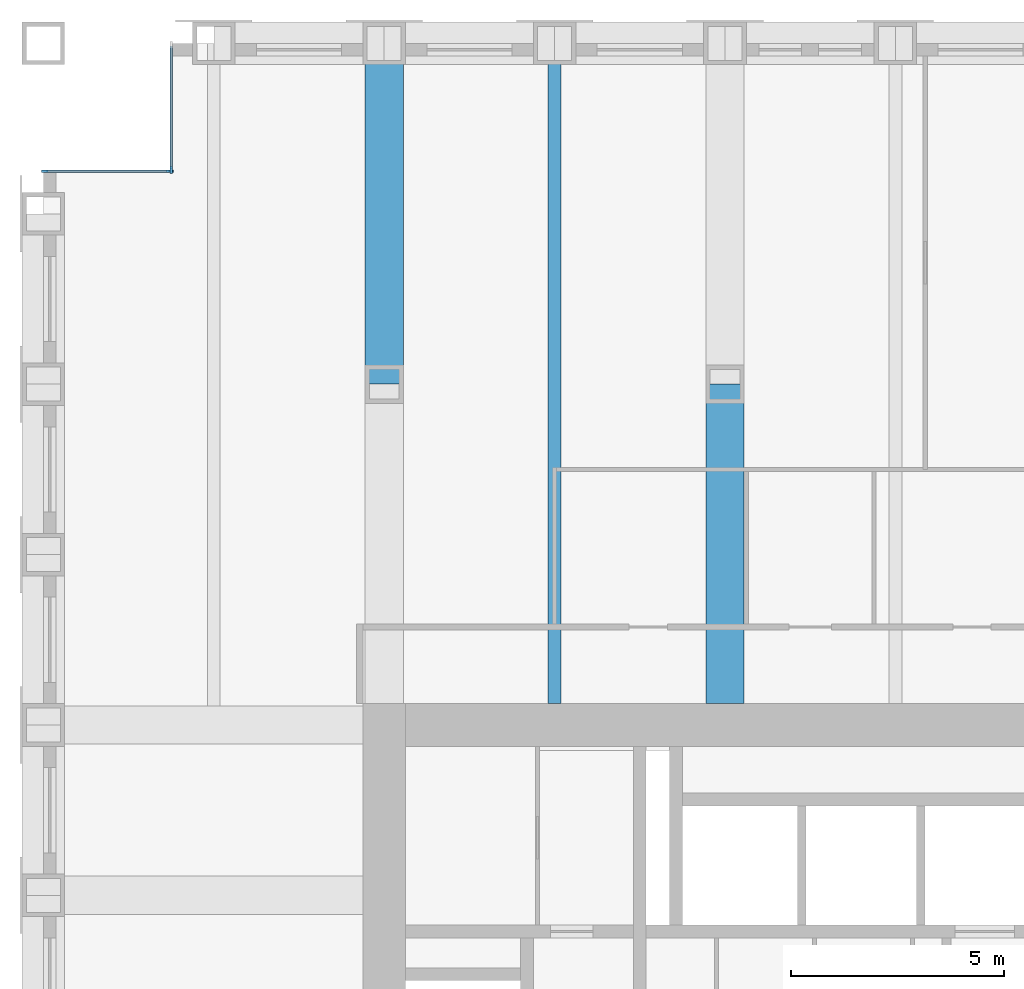
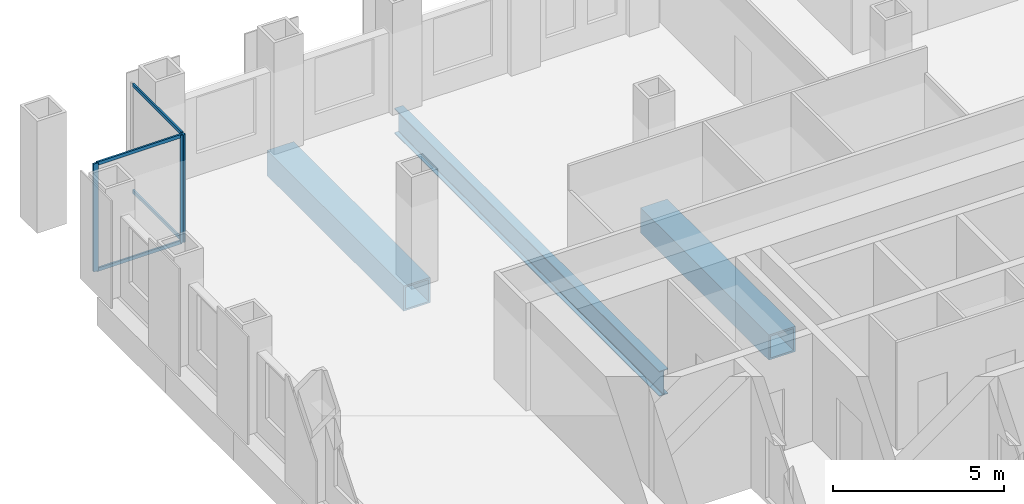
# One storey, part 6 of 15: 7 members, 3 beams, 2 elements without a shape of their own.
"""IFC4 building model written with IfcOpenShell, lengths in metres."""

from ifc_helpers import new_model, si_unit, direction, frame, origin, origin_2d, place, context, subcontext, project, spatial, rectangle, hollow_rectangle, i_section, extrude, material, material_profile, profile_set, type_object, element, aggregate, save


model = new_model("IFC4")

# Units and contexts
model_context = context("Model", 3, precision=1e-05, world=origin(), true_north=direction((0.0, 1.0)))
body_context = subcontext(model_context, "Body", "Model", "MODEL_VIEW")
ifc_project = project(units=[si_unit("LENGTHUNIT", "METRE"), si_unit("AREAUNIT", "SQUARE_METRE"), si_unit("VOLUMEUNIT", "CUBIC_METRE"), si_unit("PLANEANGLEUNIT", "RADIAN"), si_unit("MASSUNIT", "GRAM", prefix="KILO")], contexts=[model_context])

# Site, building, storey
site_placement = place(None, origin())
site = spatial("IfcSite", under=ifc_project, at=site_placement, CompositionType="ELEMENT")
building_placement = place(site_placement, origin())
building = spatial("IfcBuilding", under=site, at=building_placement, Name="Rimbunsela Tower", CompositionType="ELEMENT")
storey_placement = place(building_placement, frame((0.0, 0.0, 113.39990234375)))
storey = spatial("IfcBuildingStorey", under=building, at=storey_placement, Name="L27", CompositionType="ELEMENT", Elevation=113.39990234375)

# Beams
ifc_material_1 = material(Name="Steel BJ 55 (fy 410 MPa)", Category="steel")
ifc_material_profile_1 = material_profile(ifc_material_1, hollow_rectangle(XDim=0.89990234375, YDim=0.89990234375, WallThickness=0.06005859375, at=origin_2d()), Name="BOX 900x900x60")
ifc_profile_set_1 = profile_set([ifc_material_profile_1], Name="Steel BJ 55 (fy 410 MPa)")
beam_type_1 = type_object("IfcBeamType", Name="Beam BOX 900x900x60", PredefinedType="BEAM", material=ifc_profile_set_1)
beam_1_placement = place(storey_placement, frame((18.0, 44.0, -0.599853515625), z_axis=(0.0, 1.0, 0.0), x_axis=(-1.0, 0.0, 0.0)))
element("IfcBeam", 1, at=beam_1_placement, inside=storey, type_object=beam_type_1, Name="Beam B1 L27", PredefinedType="BEAM", context=body_context, shape_type="SweptSolid", body=[
    extrude(hollow_rectangle(XDim=0.89990234375, YDim=0.89990234375, WallThickness=0.06005859375, at=origin_2d()), origin(), (0.0, 0.0, 1.0), 8.0),
])
beam_2_placement = place(storey_placement, frame((26.0, 36.5, -0.599853515625), z_axis=(0.0, 1.0, 0.0), x_axis=(-1.0, 0.0, 0.0)))
element("IfcBeam", 2, at=beam_2_placement, inside=storey, type_object=beam_type_1, Name="Beam B1 L27", PredefinedType="BEAM", context=body_context, shape_type="SweptSolid", body=[
    extrude(hollow_rectangle(XDim=0.89990234375, YDim=0.89990234375, WallThickness=0.06005859375, at=origin_2d()), origin(), (0.0, 0.0, 1.0), 7.5),
])
ifc_material_2 = material(Name="Steel BJ 55 (fy 410 MPa)", Category="steel")
ifc_material_profile_2 = material_profile(ifc_material_2, i_section(OverallWidth=0.300048828125, OverallDepth=0.89990234375, WebThickness=0.01611328125, FlangeThickness=0.028076171875, FilletRadius=0.028076171875, at=origin_2d()), Name="H 900x300x16x28")
ifc_profile_set_2 = profile_set([ifc_material_profile_2], Name="Steel BJ 55 (fy 410 MPa)")
beam_type_2 = type_object("IfcBeamType", Name="Beam H 900x300x16x28", PredefinedType="BEAM", material=ifc_profile_set_2)
beam_3_placement = place(storey_placement, frame((22.0, 36.5, -0.599853515625), z_axis=(0.0, 1.0, 0.0), x_axis=(-1.0, 0.0, 0.0)))
element("IfcBeam", 3, at=beam_3_placement, inside=storey, type_object=beam_type_2, Name="Beam B2 L27", PredefinedType="BEAM", context=body_context, shape_type="SweptSolid", body=[
    extrude(i_section(OverallWidth=0.300048828125, OverallDepth=0.89990234375, WebThickness=0.01611328125, FlangeThickness=0.028076171875, FilletRadius=0.028076171875, at=origin_2d()), origin(), (0.0, 0.0, 1.0), 15.5),
])

# Curtain wall, member
ifc_material_3 = material(Name="Aluminium curtain wall", Category="aluminium")
curtain_wall_type = type_object("IfcCurtainWallType", Name="Corner glazing", PredefinedType="USERDEFINED", material=ifc_material_3)
curtain_wall_1_placement = place(storey_placement, origin())
curtain_wall_1 = element("IfcCurtainWall", 4, at=curtain_wall_1_placement, inside=storey, type_object=curtain_wall_type, Name="Corner glazing L27", ObjectType="CORNER GLAZING", PredefinedType="USERDEFINED")
ifc_material_4 = material(Name="Aluminium mullion", Category="aluminium")
ifc_material_profile_3 = material_profile(ifc_material_4, rectangle(XDim=0.06005859375, YDim=0.159912109375, at=origin_2d()), Name="Mullion 60x160")
ifc_profile_set_3 = profile_set([ifc_material_profile_3], Name="Aluminium mullion")
member_type_1 = type_object("IfcMemberType", Name="Curtain wall mullion 60x160", PredefinedType="MULLION", material=ifc_profile_set_3)
member_1_placement = place(storey_placement, frame((13.0, 49.030029296875, 0.0), z_axis=(0.0, 0.0, 1.0), x_axis=(1.0, 0.0, 0.0)))
member_1 = element("IfcMember", 5, at=member_1_placement, type_object=member_type_1, Name="CW5 mullion 2", PredefinedType="MULLION", context=body_context, shape_type="SweptSolid", body=[
    extrude(rectangle(XDim=0.06005859375, YDim=0.159912109375, at=origin_2d()), origin(), (0.0, 0.0, 1.0), 3.85009765625),
])

# Curtain wall, members
curtain_wall_2_placement = place(storey_placement, origin())
curtain_wall_2 = element("IfcCurtainWall", 6, at=curtain_wall_2_placement, inside=storey, type_object=curtain_wall_type, Name="Corner glazing L27", ObjectType="CORNER GLAZING", PredefinedType="USERDEFINED")
member_2_placement = place(storey_placement, frame((12.969970703125, 49.0, 0.0), z_axis=(0.0, 0.0, 1.0), x_axis=(0.0, -1.0, 0.0)))
member_2 = element("IfcMember", 7, at=member_2_placement, type_object=member_type_1, Name="CW5 mullion 1", PredefinedType="MULLION", context=body_context, shape_type="SweptSolid", body=[
    extrude(rectangle(XDim=0.06005859375, YDim=0.159912109375, at=origin_2d()), origin(), (0.0, 0.0, 1.0), 3.85009765625),
])
member_3_placement = place(storey_placement, frame((10.030029296875, 49.0, 0.0), z_axis=(0.0, 0.0, 1.0), x_axis=(0.0, -1.0, 0.0)))
member_3 = element("IfcMember", 8, at=member_3_placement, type_object=member_type_1, Name="CW5 mullion 2", PredefinedType="MULLION", context=body_context, shape_type="SweptSolid", body=[
    extrude(rectangle(XDim=0.06005859375, YDim=0.159912109375, at=origin_2d()), origin(), (0.0, 0.0, 1.0), 3.85009765625),
])

# Member
ifc_material_5 = material(Name="Aluminium transom", Category="aluminium")
ifc_material_profile_4 = material_profile(ifc_material_5, rectangle(XDim=0.06005859375, YDim=0.1201171875, at=origin_2d()), Name="Transom 60x120")
ifc_profile_set_4 = profile_set([ifc_material_profile_4], Name="Aluminium transom")
member_type_2 = type_object("IfcMemberType", Name="Curtain wall transom 60x120", PredefinedType="USERDEFINED", material=ifc_profile_set_4)
member_4_placement = place(storey_placement, frame((13.0, 51.93994140625, 0.030029296875), z_axis=(0.0, -1.0, 0.0), x_axis=(1.0, 0.0, 0.0)))
member_4 = element("IfcMember", 9, at=member_4_placement, type_object=member_type_2, Name="CW5 transom 1.1", ObjectType="TRANSOM", PredefinedType="USERDEFINED", context=body_context, shape_type="SweptSolid", body=[
    extrude(rectangle(XDim=0.06005859375, YDim=0.1201171875, at=origin_2d()), origin(), (0.0, 0.0, 1.0), 2.8798828125),
])

member_5_placement = place(storey_placement, frame((13.0, 51.93994140625, 3.820068359375), z_axis=(0.0, -1.0, 0.0), x_axis=(1.0, 0.0, 0.0)))
member_5 = element("IfcMember", 10, at=member_5_placement, type_object=member_type_2, Name="CW5 transom 1.2", ObjectType="TRANSOM", PredefinedType="USERDEFINED", context=body_context, shape_type="SweptSolid", body=[
    extrude(rectangle(XDim=0.06005859375, YDim=0.1201171875, at=origin_2d()), origin(), (0.0, 0.0, 1.0), 2.8798828125),
])

aggregate(curtain_wall_1, [member_1, member_4, member_5])

member_6_placement = place(storey_placement, frame((12.93994140625, 49.0, 0.030029296875), z_axis=(-1.0, 0.0, 0.0), x_axis=(0.0, -1.0, 0.0)))
member_6 = element("IfcMember", 11, at=member_6_placement, type_object=member_type_2, Name="CW5 transom 1.1", ObjectType="TRANSOM", PredefinedType="USERDEFINED", context=body_context, shape_type="SweptSolid", body=[
    extrude(rectangle(XDim=0.06005859375, YDim=0.1201171875, at=origin_2d()), origin(), (0.0, 0.0, 1.0), 2.8798828125),
])

member_7_placement = place(storey_placement, frame((12.93994140625, 49.0, 3.820068359375), z_axis=(-1.0, 0.0, 0.0), x_axis=(0.0, -1.0, 0.0)))
member_7 = element("IfcMember", 12, at=member_7_placement, type_object=member_type_2, Name="CW5 transom 1.2", ObjectType="TRANSOM", PredefinedType="USERDEFINED", context=body_context, shape_type="SweptSolid", body=[
    extrude(rectangle(XDim=0.06005859375, YDim=0.1201171875, at=origin_2d()), origin(), (0.0, 0.0, 1.0), 2.8798828125),
])

aggregate(curtain_wall_2, [member_2, member_3, member_6, member_7])

save(model, "model.ifc")
